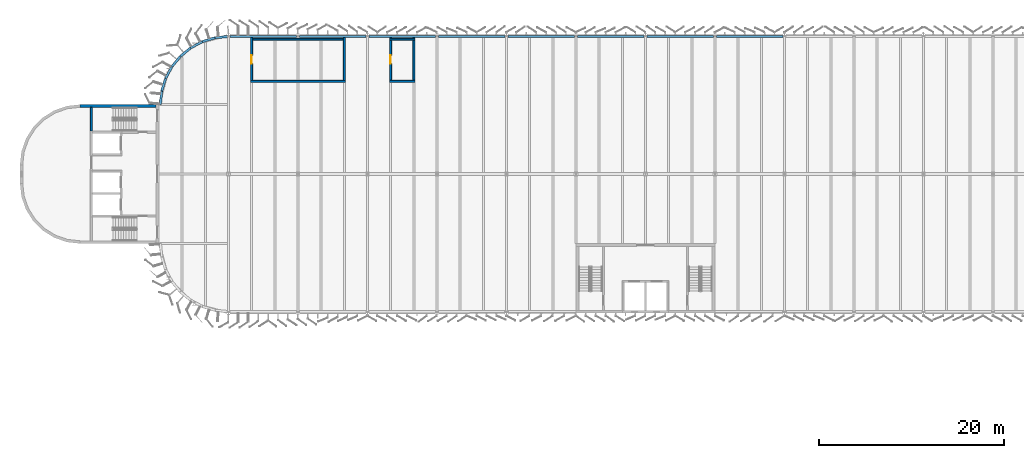
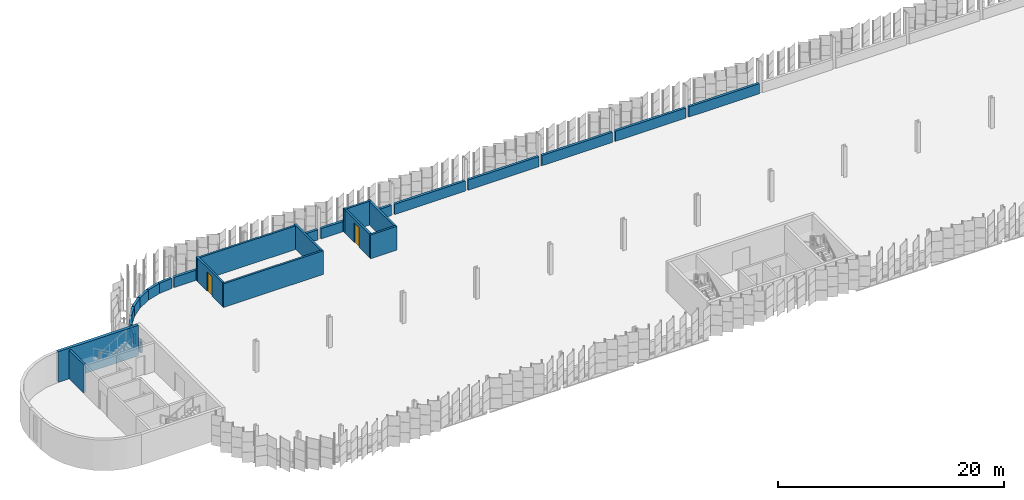
# One storey, part 65 of 199: 26 walls, 2 doors, 2 openings.
"""IFC4 building model written with IfcOpenShell, lengths in metres."""

import ifcopenshell
import ifcopenshell.guid

model = None  # the IFC model being written
_history = None  # IfcOwnerHistory: only IFC2X3 demands one
_inside = {}  # id of a spatial element -> (the spatial element, [elements in it])
_under = {}  # id of a project, library or spatial element -> (it, [spatial elements below it])
_declared = {}  # id of a project -> (the project, [libraries it declares])
_typed = {}  # id of a type object -> (the type object, [elements of that type])
_made_of = {}  # id of a material, layer set ... -> (it, [elements and type objects made of it])


def new_model(schema):
    """Start an empty IFC model of exactly this schema.

    Asked for "IFC4X3", IfcOpenShell would pick the latest addendum, in which some entities
    have other attributes; the version numbers below select the first issue.
    IFC2X3 requires an IfcOwnerHistory on every rooted entity: one is made here for all.
    """
    global model, _history
    if schema == "IFC4X3":
        model = ifcopenshell.file(schema_version=(4, 3, 0, 0))
    else:
        model = ifcopenshell.file(schema=schema)
    _inside.clear()
    _under.clear()
    _declared.clear()
    _typed.clear()
    _made_of.clear()
    _history = None
    if model.schema == "IFC2X3":
        org = make("IfcOrganization", Name="unknown")
        user = make(
            "IfcPersonAndOrganization",
            ThePerson=make("IfcPerson", FamilyName="unknown"),
            TheOrganization=org,
        )
        app = make(
            "IfcApplication",
            ApplicationDeveloper=org,
            Version="unknown",
            ApplicationFullName="unknown",
            ApplicationIdentifier="unknown",
        )
        _history = make(
            "IfcOwnerHistory",
            OwningUser=user,
            OwningApplication=app,
            ChangeAction="ADDED",
            CreationDate=0,
        )
    return model


def make(cls, **values):
    """One entity of the class cls with the attributes given. An attribute that is None is left unset."""
    return model.create_entity(
        cls, **{name: value for name, value in values.items() if value is not None}
    )


def rooted(cls, **values):
    """An entity with a GlobalId (a new one), such as an element, a storey or a relation."""
    return make(cls, GlobalId=ifcopenshell.guid.new(), OwnerHistory=_history, **values)


def si_unit(unit_type, name, prefix=None):
    """IfcSIUnit, for example si_unit("LENGTHUNIT", "METRE", prefix="MILLI")."""
    return make("IfcSIUnit", UnitType=unit_type, Prefix=prefix, Name=name)


def assignment(units):
    """IfcUnitAssignment: the units of a project."""
    return None if units is None else make("IfcUnitAssignment", Units=units)


def point(xyz):
    """IfcCartesianPoint."""
    return None if xyz is None else make("IfcCartesianPoint", Coordinates=xyz)


def direction(xyz):
    """IfcDirection."""
    return None if xyz is None else make("IfcDirection", DirectionRatios=xyz)


def frame(location, z_axis=None, x_axis=None):
    """IfcAxis2Placement3D, a coordinate frame: its origin and axes. An axis left out is left unset."""
    return make(
        "IfcAxis2Placement3D",
        Location=point(location),
        Axis=direction(z_axis),
        RefDirection=direction(x_axis),
    )


def frame_2d(location, x_axis=None):
    """IfcAxis2Placement2D, a coordinate frame in the plane: its origin and x axis."""
    return make(
        "IfcAxis2Placement2D", Location=point(location), RefDirection=direction(x_axis)
    )


def origin():
    """The frame at (0, 0, 0) with its axes left unset."""
    return frame((0.0, 0.0, 0.0))


def place(relative_to, where):
    """IfcLocalPlacement: puts the frame where relative to a parent placement (None: the world)."""
    return make(
        "IfcLocalPlacement", PlacementRelTo=relative_to, RelativePlacement=where
    )


def context(
    kind, dimensions, precision=None, world=None, true_north=None, identifier=None
):
    """IfcGeometricRepresentationContext, for example the 3D "Model" context."""
    return make(
        "IfcGeometricRepresentationContext",
        ContextIdentifier=identifier,
        ContextType=kind,
        CoordinateSpaceDimension=dimensions,
        Precision=precision,
        WorldCoordinateSystem=world,
        TrueNorth=true_north,
    )


def subcontext(parent, identifier, kind, view, scale=None):
    """IfcGeometricRepresentationSubContext, for example "Body" below "Model"."""
    return make(
        "IfcGeometricRepresentationSubContext",
        ContextIdentifier=identifier,
        ContextType=kind,
        ParentContext=parent,
        TargetScale=scale,
        TargetView=view,
    )


def project(units=None, contexts=None):
    """IfcProject with its units and contexts."""
    return rooted(
        "IfcProject",
        Name="project",
        RepresentationContexts=contexts,
        UnitsInContext=assignment(units),
    )


def spatial(cls, under=None, at=None, **own):
    """A site, building, storey or space (cls), placed at a placement, below another one or the project."""
    s = rooted(cls, ObjectPlacement=at, **own)
    if under is not None:
        _under.setdefault(under.id(), (under, []))[1].append(s)
    return s


def profile(cls, at=None, kind="AREA", **sizes):
    """A parametric profile (cls). Its sizes go by their IFC names, for example OverallWidth=200.0."""
    return make(cls, ProfileType=kind, Position=at, **sizes)


def rectangle(**sizes):
    """IfcRectangleProfileDef."""
    return profile("IfcRectangleProfileDef", **sizes)


def extrude(swept, where, along, depth):
    """IfcExtrudedAreaSolid: the profile swept, set in the frame where, extruded along a direction by depth."""
    return make(
        "IfcExtrudedAreaSolid",
        SweptArea=swept,
        Position=where,
        ExtrudedDirection=direction(along),
        Depth=depth,
    )


def shape(context_of_items, identifier, shape_type, items):
    """IfcShapeRepresentation: the items that make up one representation, for example the "Body"."""
    return make(
        "IfcShapeRepresentation",
        ContextOfItems=context_of_items,
        RepresentationIdentifier=identifier,
        RepresentationType=shape_type,
        Items=items,
    )


def material(Name=None, Category=None):
    """IfcMaterial."""
    return make("IfcMaterial", Name=Name, Category=Category)


def layer(
    of_material, thickness, ventilated=None, Name=None, Category=None, Priority=None
):
    """IfcMaterialLayer: one layer of a wall or slab, of a material (None: an air gap)."""
    return make(
        "IfcMaterialLayer",
        Material=of_material,
        LayerThickness=thickness,
        IsVentilated=ventilated,
        Name=Name,
        Category=Category,
        Priority=Priority,
    )


def layer_set(layers, Name=None):
    """IfcMaterialLayerSet."""
    return make("IfcMaterialLayerSet", MaterialLayers=layers, LayerSetName=Name)


def made_of(thing, what):
    """Note that an element or type object is made of a material, layer set ...; save() writes the relation."""
    if what is not None:
        _made_of.setdefault(what.id(), (what, []))[1].append(thing)
    return thing


def type_object(cls, material=None, **own):
    """A type object (cls), such as IfcWallType, which elements share."""
    return made_of(rooted(cls, **own), material)


def element(
    cls,
    number,
    at=None,
    inside=None,
    cuts=None,
    type_object=None,
    material=None,
    context=None,
    identifier="Body",
    shape_type=None,
    held_by="IfcProductDefinitionShape",
    body=None,
    shapes=None,
    **own,
):
    """One element of the class cls, such as IfcWall. Its Tag is "e" and its number.

    at: its placement. inside: the storey or other place that contains it. cuts: it is an
    opening in that element (IfcRelVoidsElement). A single representation is given by context,
    identifier, shape_type and body (its items); several are given by shapes. held_by: the class
    of the entity that holds the representations. save() writes the other relations.
    """
    e = rooted(cls, Tag="e%d" % number, ObjectPlacement=at, **own)
    if body is not None:
        shapes = [shape(context, identifier, shape_type, body)]
    if shapes is not None:
        e.Representation = make(held_by, Representations=shapes)
    if inside is not None:
        _inside.setdefault(inside.id(), (inside, []))[1].append(e)
    if cuts is not None:
        rooted(
            "IfcRelVoidsElement", RelatingBuildingElement=cuts, RelatedOpeningElement=e
        )
    if type_object is not None:
        _typed.setdefault(type_object.id(), (type_object, []))[1].append(e)
    return made_of(e, material)


def fill(opening, filler):
    """IfcRelFillsElement: the door or window that sits in an opening."""
    return rooted(
        "IfcRelFillsElement",
        RelatingOpeningElement=opening,
        RelatedBuildingElement=filler,
    )


def aggregate(whole, parts):
    """IfcRelAggregates: a whole, such as a stair, and the parts it consists of."""
    return rooted("IfcRelAggregates", RelatingObject=whole, RelatedObjects=parts)


def save(model, path):
    """Write the relations noted so far, then the file.

    IfcRelAggregates (storeys below a building ...), IfcRelContainedInSpatialStructure (elements
    in a storey), IfcRelDefinesByType, IfcRelAssociatesMaterial and IfcRelDeclares: one each for
    every whole, place, type object, material and project.
    """
    for whole, parts in _under.values():
        aggregate(whole, parts)
    for where, things in _inside.values():
        rooted(
            "IfcRelContainedInSpatialStructure",
            RelatedElements=things,
            RelatingStructure=where,
        )
    for kind, things in _typed.values():
        rooted("IfcRelDefinesByType", RelatedObjects=things, RelatingType=kind)
    for what, things in _made_of.values():
        rooted("IfcRelAssociatesMaterial", RelatedObjects=things, RelatingMaterial=what)
    for by, libraries in _declared.values():
        rooted("IfcRelDeclares", RelatingContext=by, RelatedDefinitions=libraries)
    model.write(path)


model = new_model("IFC4")

# Units and contexts
model_context = context("Model", 3, precision=1e-05, world=origin(), true_north=direction((0.0, 1.0)))
body_context = subcontext(model_context, "Body", "Model", "MODEL_VIEW")
ifc_project = project(units=[si_unit("LENGTHUNIT", "METRE"), si_unit("AREAUNIT", "SQUARE_METRE"), si_unit("VOLUMEUNIT", "CUBIC_METRE"), si_unit("PLANEANGLEUNIT", "RADIAN"), si_unit("MASSUNIT", "GRAM", prefix="KILO")], contexts=[model_context])

# Site, building, storey
site_placement = place(None, origin())
site = spatial("IfcSite", under=ifc_project, at=site_placement, CompositionType="ELEMENT")
building_placement = place(site_placement, origin())
building = spatial("IfcBuilding", under=site, at=building_placement, Name="Parallax Yard Mobility Hub", CompositionType="ELEMENT")
storey_placement = place(building_placement, frame((0.0, 0.0, 9.89990234375)))
storey = spatial("IfcBuildingStorey", under=building, at=storey_placement, Name="L03", CompositionType="ELEMENT", Elevation=9.89990234375)

# Walls
ifc_material_1 = material(Name="Concrete fc' 35 MPa", Category="concrete")
ifc_layer_1 = layer(ifc_material_1, 0.300048828125)
ifc_layer_set_1 = layer_set([ifc_layer_1], Name="Concrete fc' 35 MPa core wall 300")
wall_type_1 = type_object("IfcWallType", Name="Concrete fc' 35 MPa core wall 300", PredefinedType="SHEAR", material=ifc_layer_set_1)
wall_1_placement = place(storey_placement, frame((14.0, 134.85009765625, 0.0), z_axis=(0.0, 0.0, 1.0), x_axis=(1.0, 0.0, 0.0)))
element("IfcWall", 1, at=wall_1_placement, inside=storey, type_object=wall_type_1, Name="Core C-W east-side end wall level L03", PredefinedType="SHEAR", context=body_context, shape_type="SweptSolid", body=[
    extrude(rectangle(XDim=8.199951171875, YDim=0.300048828125, at=frame_2d((4.10009765625, 0.0))), origin(), (0.0, 0.0, 1.0), 3.300048828125),
])
ifc_layer_2 = layer(ifc_material_1, 0.199951171875)
ifc_layer_set_2 = layer_set([ifc_layer_2], Name="Concrete fc' 35 MPa internal core wall 200")
wall_type_2 = type_object("IfcWallType", Name="Concrete fc' 35 MPa internal core wall 200", PredefinedType="STANDARD", material=ifc_layer_set_2)
wall_2_placement = place(storey_placement, frame((15.199951171875, 132.14990234375, 0.0), z_axis=(0.0, 0.0, 1.0), x_axis=(0.0, 1.0, 0.0)))
element("IfcWall", 2, at=wall_2_placement, inside=storey, type_object=wall_type_2, Name="Core C-W plant wall 5 part 5 level L03", PredefinedType="STANDARD", context=body_context, shape_type="SweptSolid", body=[
    extrude(rectangle(XDim=2.550048828125, YDim=0.199951171875, at=frame_2d((1.27490234375, 0.0))), origin(), (0.0, 0.0, 1.0), 3.10009765625),
])
ifc_layer_3 = layer(ifc_material_1, 0.25)
ifc_layer_set_3 = layer_set([ifc_layer_3], Name="Deck-edge barrier wall, Concrete fc' 35 MPa precast, 250")
wall_type_3 = type_object("IfcWallType", Name="Deck-edge barrier wall, Concrete fc' 35 MPa precast, 250", PredefinedType="SOLIDWALL", material=ifc_layer_set_3)
for number, where, z_axis, x_axis, name in (
    (3, (89.848388671875, 142.354248046875, 0.0), (0.0, 0.0, 1.0), (-1.0, 0.0, 0.0), "Deck-edge barrier wall bay 62 level L03"),
    (4, (82.348388671875, 142.354248046875, 0.0), (0.0, 0.0, 1.0), (-1.0, 0.0, 0.0), "Deck-edge barrier wall bay 63 level L03"),
    (5, (74.848388671875, 142.354248046875, 0.0), (0.0, 0.0, 1.0), (-1.0, 0.0, 0.0), "Deck-edge barrier wall bay 64 level L03"),
    (6, (67.348388671875, 142.354248046875, 0.0), (0.0, 0.0, 1.0), (-1.0, 0.0, 0.0), "Deck-edge barrier wall bay 65 level L03"),
    (7, (59.848388671875, 142.354248046875, 0.0), (0.0, 0.0, 1.0), (-1.0, 0.0, 0.0), "Deck-edge barrier wall bay 66 level L03"),
    (8, (52.348388671875, 142.354248046875, 0.0), (0.0, 0.0, 1.0), (-1.0, 0.0, 0.0), "Deck-edge barrier wall bay 67 level L03"),
    (9, (44.848388671875, 142.354248046875, 0.0), (0.0, 0.0, 1.0), (-1.0, 0.0, 0.0), "Deck-edge barrier wall bay 68 level L03"),
):
    element("IfcWall", number, at=place(storey_placement, frame(where, z_axis=z_axis, x_axis=x_axis)), inside=storey, type_object=wall_type_3, Name=name, PredefinedType="SOLIDWALL", context=body_context, shape_type="SweptSolid", body=[
        extrude(rectangle(XDim=7.19677734375, YDim=0.25, at=frame_2d((3.598388671875, 0.0))), origin(), (0.0, 0.0, 1.0), 1.10009765625),
    ])
wall_3_placement = place(storey_placement, frame((37.348388671875, 142.354248046875, 0.0), z_axis=(0.0, 0.0, 1.0), x_axis=(-0.999999917439, -0.000406352613, 0.0)))
element("IfcWall", 10, at=wall_3_placement, inside=storey, type_object=wall_type_3, Name="Deck-edge barrier wall bay 69 level L03", PredefinedType="SOLIDWALL", context=body_context, shape_type="SweptSolid", body=[
    extrude(rectangle(XDim=7.209716796875, YDim=0.25, at=frame_2d((3.60498046875, 0.0))), origin(), (0.0, 0.0, 1.0), 1.10009765625),
])
wall_4_placement = place(storey_placement, frame((29.90380859375, 142.341064453125, 0.0), z_axis=(0.0, 0.0, 1.0), x_axis=(-0.995179797588, -0.098067173263, 0.0)))
element("IfcWall", 11, at=wall_4_placement, inside=storey, type_object=wall_type_3, Name="Deck-edge barrier wall bay 70-1 level L03", PredefinedType="SOLIDWALL", context=body_context, shape_type="SweptSolid", body=[
    extrude(rectangle(XDim=1.329345703125, YDim=0.25, at=frame_2d((0.66455078125, 0.0))), origin(), (0.0, 0.0, 1.0), 1.10009765625),
])
wall_5_placement = place(storey_placement, frame((28.55224609375, 142.205078125, 0.0), z_axis=(0.0, 0.0, 1.0), x_axis=(-0.956979282244, -0.290156256793, 0.0)))
element("IfcWall", 12, at=wall_5_placement, inside=storey, type_object=wall_type_3, Name="Deck-edge barrier wall bay 70-2 level L03", PredefinedType="SOLIDWALL", context=body_context, shape_type="SweptSolid", body=[
    extrude(rectangle(XDim=1.4111328125, YDim=0.25, at=frame_2d((0.70556640625, 0.0))), origin(), (0.0, 0.0, 1.0), 1.10009765625),
])
for number, where, z_axis, x_axis, name in (
    (13, (27.175048828125, 141.784423828125, 0.0), (0.0, 0.0, 1.0), (-0.881950271557, -0.47134246414, 0.0), "Deck-edge barrier wall bay 70-3 level L03"),
    (14, (25.90625, 141.103271484375, 0.0), (0.0, 0.0, 1.0), (-0.773162570817, -0.634207883179, 0.0), "Deck-edge barrier wall bay 70-4 level L03"),
    (15, (24.794921875, 140.187744140625, 0.0), (0.0, 0.0, 1.0), (-0.634687762211, -0.772768687577, 0.0), "Deck-edge barrier wall bay 70-5 level L03"),
    (16, (23.883056640625, 139.072998046875, 0.0), (0.0, 0.0, 1.0), (-0.471683538305, -0.881767905796, 0.0), "Deck-edge barrier wall bay 70-6 level L03"),
):
    element("IfcWall", number, at=place(storey_placement, frame(where, z_axis=z_axis, x_axis=x_axis)), inside=storey, type_object=wall_type_3, Name=name, PredefinedType="SOLIDWALL", context=body_context, shape_type="SweptSolid", body=[
        extrude(rectangle(XDim=1.410888671875, YDim=0.25, at=frame_2d((0.70556640625, 0.0))), origin(), (0.0, 0.0, 1.0), 1.10009765625),
    ])
wall_6_placement = place(storey_placement, frame((23.206298828125, 137.802001953125, 0.0), z_axis=(0.0, 0.0, 1.0), x_axis=(-0.290679627319, -0.956820439927, 0.0)))
element("IfcWall", 17, at=wall_6_placement, inside=storey, type_object=wall_type_3, Name="Deck-edge barrier wall bay 70-7 level L03", PredefinedType="SOLIDWALL", context=body_context, shape_type="SweptSolid", body=[
    extrude(rectangle(XDim=1.4111328125, YDim=0.25, at=frame_2d((0.70556640625, 0.0))), origin(), (0.0, 0.0, 1.0), 1.10009765625),
])
wall_7_placement = place(storey_placement, frame((22.790283203125, 136.42333984375, 0.0), z_axis=(0.0, 0.0, 1.0), x_axis=(-0.098479948823, -0.995139035351, 0.0)))
element("IfcWall", 18, at=wall_7_placement, inside=storey, type_object=wall_type_3, Name="Deck-edge barrier wall bay 70-8 level L03", PredefinedType="SOLIDWALL", context=body_context, shape_type="SweptSolid", body=[
    extrude(rectangle(XDim=1.4404296875, YDim=0.25, at=frame_2d((0.72021484375, 0.0))), origin(), (0.0, 0.0, 1.0), 1.10009765625),
])
ifc_material_2 = material(Name="Fire-rated plasterboard partition, two layers each side")
ifc_layer_4 = layer(ifc_material_2, 0.199951171875)
ifc_layer_set_4 = layer_set([ifc_layer_4], Name="Fire-rated partition 200 mm")
wall_type_4 = type_object("IfcWallType", Name="Fire-rated partition 200 mm", PredefinedType="PARTITIONING", material=ifc_layer_set_4)
wall_8_placement = place(storey_placement, frame((32.39990234375, 137.5, 0.0), z_axis=(0.0, 0.0, 1.0), x_axis=(1.0, 0.0, 0.0)))
element("IfcWall", 19, at=wall_8_placement, inside=storey, type_object=wall_type_4, Name="Partition 21 level L03", PredefinedType="PARTITIONING", context=body_context, shape_type="SweptSolid", body=[
    extrude(rectangle(XDim=10.2001953125, YDim=0.199951171875, at=frame_2d((5.10009765625, 0.0))), origin(), (0.0, 0.0, 1.0), 2.548095703125),
])
wall_9_placement = place(storey_placement, frame((47.39990234375, 137.5, 0.0), z_axis=(0.0, 0.0, 1.0), x_axis=(1.0, 0.0, 0.0)))
element("IfcWall", 20, at=wall_9_placement, inside=storey, type_object=wall_type_4, Name="Partition 22 level L03", PredefinedType="PARTITIONING", context=body_context, shape_type="SweptSolid", body=[
    extrude(rectangle(XDim=2.7001953125, YDim=0.199951171875, at=frame_2d((1.35009765625, 0.0))), origin(), (0.0, 0.0, 1.0), 2.55810546875),
])
wall_10_placement = place(storey_placement, frame((32.39990234375, 142.050048828125, 0.0), z_axis=(0.0, 0.0, 1.0), x_axis=(1.0, 0.0, 0.0)))
element("IfcWall", 21, at=wall_10_placement, inside=storey, type_object=wall_type_4, Name="Partition 23 level L03", PredefinedType="PARTITIONING", context=body_context, shape_type="SweptSolid", body=[
    extrude(rectangle(XDim=10.2001953125, YDim=0.199951171875, at=frame_2d((5.10009765625, 0.0))), origin(), (0.0, 0.0, 1.0), 2.548095703125),
])
wall_11_placement = place(storey_placement, frame((47.39990234375, 142.050048828125, 0.0), z_axis=(0.0, 0.0, 1.0), x_axis=(1.0, 0.0, 0.0)))
element("IfcWall", 22, at=wall_11_placement, inside=storey, type_object=wall_type_4, Name="Partition 24 level L03", PredefinedType="PARTITIONING", context=body_context, shape_type="SweptSolid", body=[
    extrude(rectangle(XDim=2.7001953125, YDim=0.199951171875, at=frame_2d((1.35009765625, 0.0))), origin(), (0.0, 0.0, 1.0), 2.55810546875),
])

# Wall, opening, door
wall_12_placement = place(storey_placement, frame((32.5, 137.60009765625, 0.0), z_axis=(0.0, 0.0, 1.0), x_axis=(0.0, 1.0, 0.0)))
wall_12 = element("IfcWall", 23, at=wall_12_placement, inside=storey, type_object=wall_type_4, Name="Partition 25 level L03", PredefinedType="PARTITIONING", context=body_context, shape_type="SweptSolid", body=[
    extrude(rectangle(XDim=4.627197265625, YDim=0.199951171875, at=frame_2d((2.3134765625, 0.0))), origin(), (0.0, 0.0, 1.0), 2.55810546875),
])
opening_1_placement = place(wall_12_placement, frame((1.800048828125, 0.0, 0.0)))
opening_1 = element("IfcOpeningElement", 24, at=opening_1_placement, cuts=wall_12, Name="Opening L03-D216", PredefinedType="OPENING", context=body_context, shape_type="SweptSolid", body=[
    extrude(rectangle(XDim=0.89990234375, YDim=2.10009765625, at=frame_2d((0.449951171875, 1.050048828125))), frame((0.0, 0.10986328125, 0.0), z_axis=(0.0, -1.0, 0.0), x_axis=(1.0, 0.0, 0.0)), (0.0, 0.0, 1.0), 0.219970703125),
])
ifc_material_3 = material(Name="Hollow metal fire door leaf with intumescent seals")
door_type = type_object("IfcDoorType", Name="Fire door 900 mm FD60", OperationType="NOTDEFINED", PredefinedType="DOOR", material=ifc_material_3)
door_1_placement = place(opening_1_placement, origin())
door_1 = element("IfcDoor", 25, at=door_1_placement, inside=storey, type_object=door_type, Name="Door L03-D216 Electrical Room", OperationType="SINGLE_SWING_RIGHT", OverallHeight=2.10009765625, OverallWidth=0.89990234375, PredefinedType="DOOR", context=body_context, shape_type="SweptSolid", body=[
    extrude(rectangle(XDim=0.89990234375, YDim=2.10009765625, at=frame_2d((0.449951171875, 1.050048828125))), frame((0.0, 0.02490234375, 0.0), z_axis=(0.0, -1.0, 0.0), x_axis=(1.0, 0.0, 0.0)), (0.0, 0.0, 1.0), 0.050048828125),
])
fill(opening_1, door_1)

# Wall
wall_13_placement = place(storey_placement, frame((42.5, 137.60009765625, 0.0), z_axis=(0.0, 0.0, 1.0), x_axis=(0.0, 1.0, 0.0)))
element("IfcWall", 26, at=wall_13_placement, inside=storey, type_object=wall_type_4, Name="Partition 26 level L03", PredefinedType="PARTITIONING", context=body_context, shape_type="SweptSolid", body=[
    extrude(rectangle(XDim=4.629150390625, YDim=0.199951171875, at=frame_2d((2.314453125, 0.0))), origin(), (0.0, 0.0, 1.0), 2.55810546875),
])

# Wall, opening, door
wall_14_placement = place(storey_placement, frame((47.5, 137.60009765625, 0.0), z_axis=(0.0, 0.0, 1.0), x_axis=(0.0, 1.0, 0.0)))
wall_14 = element("IfcWall", 27, at=wall_14_placement, inside=storey, type_object=wall_type_4, Name="Partition 27 level L03", PredefinedType="PARTITIONING", context=body_context, shape_type="SweptSolid", body=[
    extrude(rectangle(XDim=4.629150390625, YDim=0.199951171875, at=frame_2d((2.314453125, 0.0))), origin(), (0.0, 0.0, 1.0), 2.55810546875),
])
opening_2_placement = place(wall_14_placement, frame((1.800048828125, 0.0, 0.0)))
opening_2 = element("IfcOpeningElement", 28, at=opening_2_placement, cuts=wall_14, Name="Opening L03-D217", PredefinedType="OPENING", context=body_context, shape_type="SweptSolid", body=[
    extrude(rectangle(XDim=0.89990234375, YDim=2.10009765625, at=frame_2d((0.449951171875, 1.050048828125))), frame((0.0, 0.10986328125, 0.0), z_axis=(0.0, -1.0, 0.0), x_axis=(1.0, 0.0, 0.0)), (0.0, 0.0, 1.0), 0.219970703125),
])
door_2_placement = place(opening_2_placement, origin())
door_2 = element("IfcDoor", 29, at=door_2_placement, inside=storey, type_object=door_type, Name="Door L03-D217 Cleaners Store", OperationType="SINGLE_SWING_RIGHT", OverallHeight=2.10009765625, OverallWidth=0.89990234375, PredefinedType="DOOR", context=body_context, shape_type="SweptSolid", body=[
    extrude(rectangle(XDim=0.89990234375, YDim=2.10009765625, at=frame_2d((0.449951171875, 1.050048828125))), frame((0.0, 0.02490234375, 0.0), z_axis=(0.0, -1.0, 0.0), x_axis=(1.0, 0.0, 0.0)), (0.0, 0.0, 1.0), 0.050048828125),
])
fill(opening_2, door_2)

# Wall
wall_15_placement = place(storey_placement, frame((50.0, 137.60009765625, 0.0), z_axis=(0.0, 0.0, 1.0), x_axis=(0.0, 1.0, 0.0)))
element("IfcWall", 30, at=wall_15_placement, inside=storey, type_object=wall_type_4, Name="Partition 28 level L03", PredefinedType="PARTITIONING", context=body_context, shape_type="SweptSolid", body=[
    extrude(rectangle(XDim=4.629150390625, YDim=0.199951171875, at=frame_2d((2.314453125, 0.0))), origin(), (0.0, 0.0, 1.0), 2.55810546875),
])

save(model, "model.ifc")
